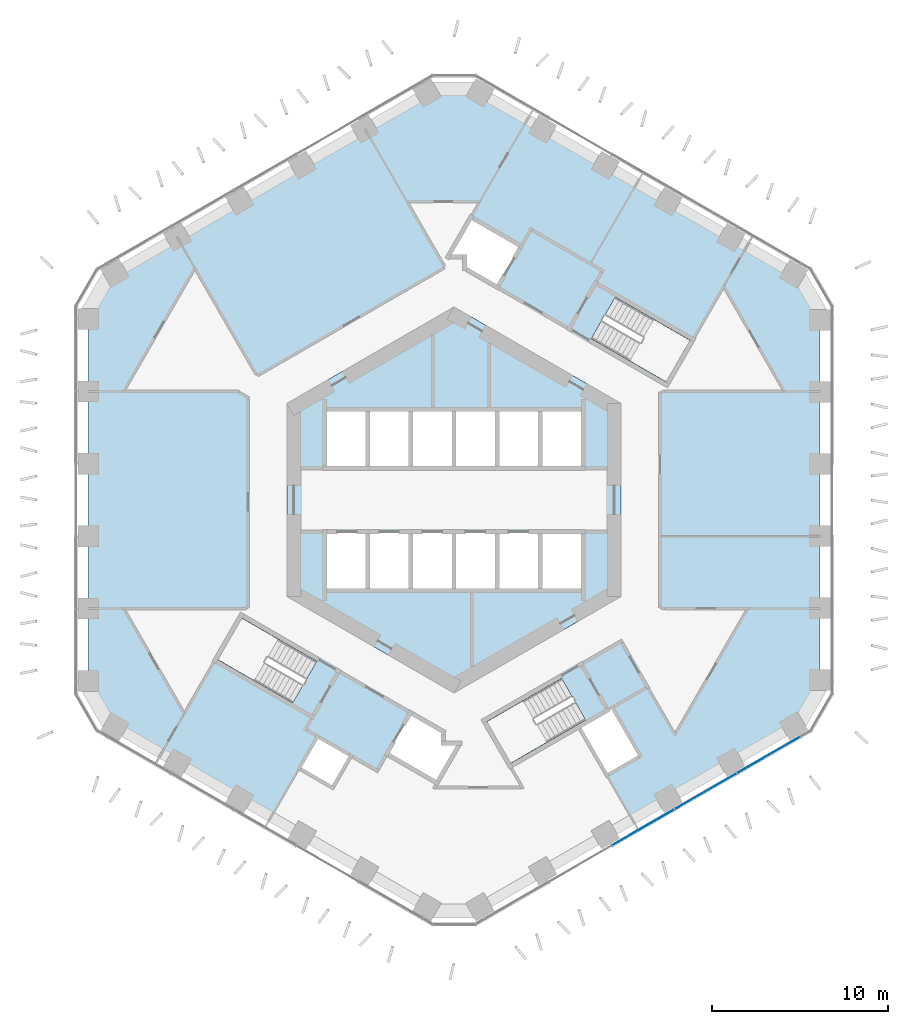
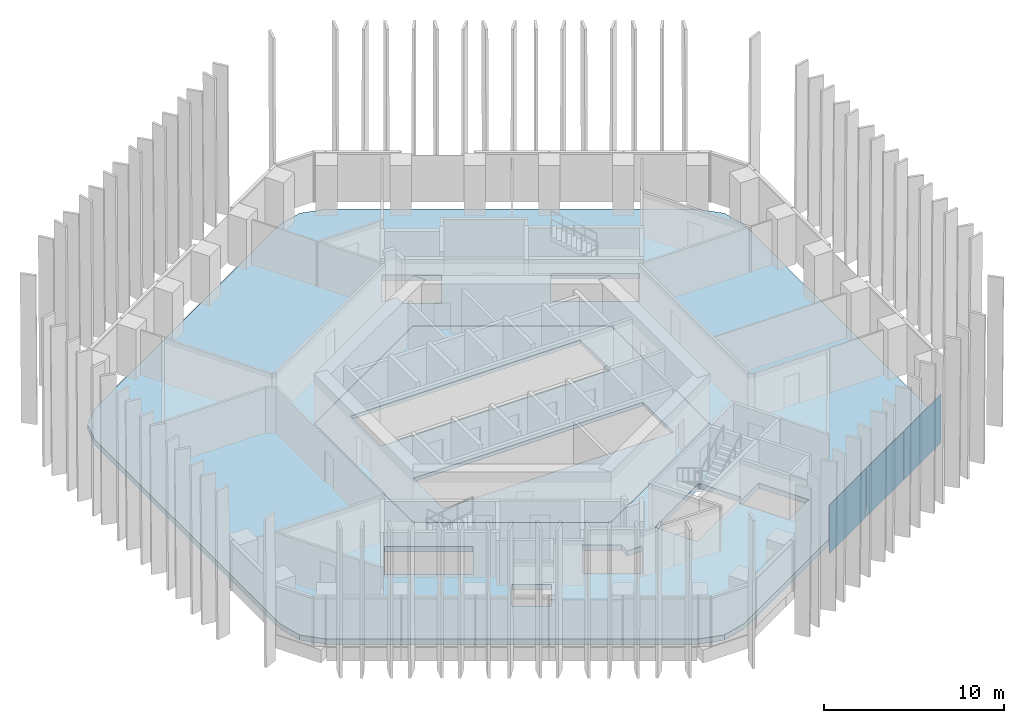
# One storey, part 9 of 18: 3 plates, 2 slabs, 1 element without a shape of its own.
"""IFC4 building model written with IfcOpenShell, lengths in metres."""

import ifcopenshell
import ifcopenshell.guid

model = None  # the IFC model being written
_history = None  # IfcOwnerHistory: only IFC2X3 demands one
_inside = {}  # id of a spatial element -> (the spatial element, [elements in it])
_under = {}  # id of a project, library or spatial element -> (it, [spatial elements below it])
_declared = {}  # id of a project -> (the project, [libraries it declares])
_typed = {}  # id of a type object -> (the type object, [elements of that type])
_made_of = {}  # id of a material, layer set ... -> (it, [elements and type objects made of it])


def new_model(schema):
    """Start an empty IFC model of exactly this schema.

    Asked for "IFC4X3", IfcOpenShell would pick the latest addendum, in which some entities
    have other attributes; the version numbers below select the first issue.
    IFC2X3 requires an IfcOwnerHistory on every rooted entity: one is made here for all.
    """
    global model, _history
    if schema == "IFC4X3":
        model = ifcopenshell.file(schema_version=(4, 3, 0, 0))
    else:
        model = ifcopenshell.file(schema=schema)
    _inside.clear()
    _under.clear()
    _declared.clear()
    _typed.clear()
    _made_of.clear()
    _history = None
    if model.schema == "IFC2X3":
        org = make("IfcOrganization", Name="unknown")
        user = make(
            "IfcPersonAndOrganization",
            ThePerson=make("IfcPerson", FamilyName="unknown"),
            TheOrganization=org,
        )
        app = make(
            "IfcApplication",
            ApplicationDeveloper=org,
            Version="unknown",
            ApplicationFullName="unknown",
            ApplicationIdentifier="unknown",
        )
        _history = make(
            "IfcOwnerHistory",
            OwningUser=user,
            OwningApplication=app,
            ChangeAction="ADDED",
            CreationDate=0,
        )
    return model


def make(cls, **values):
    """One entity of the class cls with the attributes given. An attribute that is None is left unset."""
    return model.create_entity(
        cls, **{name: value for name, value in values.items() if value is not None}
    )


def rooted(cls, **values):
    """An entity with a GlobalId (a new one), such as an element, a storey or a relation."""
    return make(cls, GlobalId=ifcopenshell.guid.new(), OwnerHistory=_history, **values)


def si_unit(unit_type, name, prefix=None):
    """IfcSIUnit, for example si_unit("LENGTHUNIT", "METRE", prefix="MILLI")."""
    return make("IfcSIUnit", UnitType=unit_type, Prefix=prefix, Name=name)


def assignment(units):
    """IfcUnitAssignment: the units of a project."""
    return None if units is None else make("IfcUnitAssignment", Units=units)


def point(xyz):
    """IfcCartesianPoint."""
    return None if xyz is None else make("IfcCartesianPoint", Coordinates=xyz)


def direction(xyz):
    """IfcDirection."""
    return None if xyz is None else make("IfcDirection", DirectionRatios=xyz)


def frame(location, z_axis=None, x_axis=None):
    """IfcAxis2Placement3D, a coordinate frame: its origin and axes. An axis left out is left unset."""
    return make(
        "IfcAxis2Placement3D",
        Location=point(location),
        Axis=direction(z_axis),
        RefDirection=direction(x_axis),
    )


def frame_2d(location, x_axis=None):
    """IfcAxis2Placement2D, a coordinate frame in the plane: its origin and x axis."""
    return make(
        "IfcAxis2Placement2D", Location=point(location), RefDirection=direction(x_axis)
    )


def origin():
    """The frame at (0, 0, 0) with its axes left unset."""
    return frame((0.0, 0.0, 0.0))


def origin_2d():
    """The frame at (0, 0) in the plane with its x axis left unset."""
    return frame_2d((0.0, 0.0))


def place(relative_to, where):
    """IfcLocalPlacement: puts the frame where relative to a parent placement (None: the world)."""
    return make(
        "IfcLocalPlacement", PlacementRelTo=relative_to, RelativePlacement=where
    )


def context(
    kind, dimensions, precision=None, world=None, true_north=None, identifier=None
):
    """IfcGeometricRepresentationContext, for example the 3D "Model" context."""
    return make(
        "IfcGeometricRepresentationContext",
        ContextIdentifier=identifier,
        ContextType=kind,
        CoordinateSpaceDimension=dimensions,
        Precision=precision,
        WorldCoordinateSystem=world,
        TrueNorth=true_north,
    )


def subcontext(parent, identifier, kind, view, scale=None):
    """IfcGeometricRepresentationSubContext, for example "Body" below "Model"."""
    return make(
        "IfcGeometricRepresentationSubContext",
        ContextIdentifier=identifier,
        ContextType=kind,
        ParentContext=parent,
        TargetScale=scale,
        TargetView=view,
    )


def project(units=None, contexts=None):
    """IfcProject with its units and contexts."""
    return rooted(
        "IfcProject",
        Name="project",
        RepresentationContexts=contexts,
        UnitsInContext=assignment(units),
    )


def spatial(cls, under=None, at=None, **own):
    """A site, building, storey or space (cls), placed at a placement, below another one or the project."""
    s = rooted(cls, ObjectPlacement=at, **own)
    if under is not None:
        _under.setdefault(under.id(), (under, []))[1].append(s)
    return s


def polyline(points):
    """IfcPolyline through the points."""
    return make("IfcPolyline", Points=[point(p) for p in points])


def profile(cls, at=None, kind="AREA", **sizes):
    """A parametric profile (cls). Its sizes go by their IFC names, for example OverallWidth=200.0."""
    return make(cls, ProfileType=kind, Position=at, **sizes)


def rectangle(**sizes):
    """IfcRectangleProfileDef."""
    return profile("IfcRectangleProfileDef", **sizes)


def outline(outer, holes=None, kind="AREA"):
    """IfcArbitraryClosedProfileDef: a profile drawn as a closed curve; with holes, ...WithVoids."""
    if holes is None:
        return make("IfcArbitraryClosedProfileDef", ProfileType=kind, OuterCurve=outer)
    return make(
        "IfcArbitraryProfileDefWithVoids",
        ProfileType=kind,
        OuterCurve=outer,
        InnerCurves=holes,
    )


def extrude(swept, where, along, depth):
    """IfcExtrudedAreaSolid: the profile swept, set in the frame where, extruded along a direction by depth."""
    return make(
        "IfcExtrudedAreaSolid",
        SweptArea=swept,
        Position=where,
        ExtrudedDirection=direction(along),
        Depth=depth,
    )


def shape(context_of_items, identifier, shape_type, items):
    """IfcShapeRepresentation: the items that make up one representation, for example the "Body"."""
    return make(
        "IfcShapeRepresentation",
        ContextOfItems=context_of_items,
        RepresentationIdentifier=identifier,
        RepresentationType=shape_type,
        Items=items,
    )


def material(Name=None, Category=None):
    """IfcMaterial."""
    return make("IfcMaterial", Name=Name, Category=Category)


def layer(
    of_material, thickness, ventilated=None, Name=None, Category=None, Priority=None
):
    """IfcMaterialLayer: one layer of a wall or slab, of a material (None: an air gap)."""
    return make(
        "IfcMaterialLayer",
        Material=of_material,
        LayerThickness=thickness,
        IsVentilated=ventilated,
        Name=Name,
        Category=Category,
        Priority=Priority,
    )


def layer_set(layers, Name=None):
    """IfcMaterialLayerSet."""
    return make("IfcMaterialLayerSet", MaterialLayers=layers, LayerSetName=Name)


def made_of(thing, what):
    """Note that an element or type object is made of a material, layer set ...; save() writes the relation."""
    if what is not None:
        _made_of.setdefault(what.id(), (what, []))[1].append(thing)
    return thing


def type_object(cls, material=None, **own):
    """A type object (cls), such as IfcWallType, which elements share."""
    return made_of(rooted(cls, **own), material)


def element(
    cls,
    number,
    at=None,
    inside=None,
    cuts=None,
    type_object=None,
    material=None,
    context=None,
    identifier="Body",
    shape_type=None,
    held_by="IfcProductDefinitionShape",
    body=None,
    shapes=None,
    **own,
):
    """One element of the class cls, such as IfcWall. Its Tag is "e" and its number.

    at: its placement. inside: the storey or other place that contains it. cuts: it is an
    opening in that element (IfcRelVoidsElement). A single representation is given by context,
    identifier, shape_type and body (its items); several are given by shapes. held_by: the class
    of the entity that holds the representations. save() writes the other relations.
    """
    e = rooted(cls, Tag="e%d" % number, ObjectPlacement=at, **own)
    if body is not None:
        shapes = [shape(context, identifier, shape_type, body)]
    if shapes is not None:
        e.Representation = make(held_by, Representations=shapes)
    if inside is not None:
        _inside.setdefault(inside.id(), (inside, []))[1].append(e)
    if cuts is not None:
        rooted(
            "IfcRelVoidsElement", RelatingBuildingElement=cuts, RelatedOpeningElement=e
        )
    if type_object is not None:
        _typed.setdefault(type_object.id(), (type_object, []))[1].append(e)
    return made_of(e, material)


def aggregate(whole, parts):
    """IfcRelAggregates: a whole, such as a stair, and the parts it consists of."""
    return rooted("IfcRelAggregates", RelatingObject=whole, RelatedObjects=parts)


def save(model, path):
    """Write the relations noted so far, then the file.

    IfcRelAggregates (storeys below a building ...), IfcRelContainedInSpatialStructure (elements
    in a storey), IfcRelDefinesByType, IfcRelAssociatesMaterial and IfcRelDeclares: one each for
    every whole, place, type object, material and project.
    """
    for whole, parts in _under.values():
        aggregate(whole, parts)
    for where, things in _inside.values():
        rooted(
            "IfcRelContainedInSpatialStructure",
            RelatedElements=things,
            RelatingStructure=where,
        )
    for kind, things in _typed.values():
        rooted("IfcRelDefinesByType", RelatedObjects=things, RelatingType=kind)
    for what, things in _made_of.values():
        rooted("IfcRelAssociatesMaterial", RelatedObjects=things, RelatingMaterial=what)
    for by, libraries in _declared.values():
        rooted("IfcRelDeclares", RelatingContext=by, RelatedDefinitions=libraries)
    model.write(path)


model = new_model("IFC4")

# Units and contexts
model_context = context("Model", 3, precision=1e-05, world=origin(), true_north=direction((0.0, 1.0)))
body_context = subcontext(model_context, "Body", "Model", "MODEL_VIEW")
ifc_project = project(units=[si_unit("LENGTHUNIT", "METRE"), si_unit("AREAUNIT", "SQUARE_METRE"), si_unit("VOLUMEUNIT", "CUBIC_METRE"), si_unit("PLANEANGLEUNIT", "RADIAN"), si_unit("MASSUNIT", "GRAM", prefix="KILO")], contexts=[model_context])

# Site, building, storey
site_placement = place(None, origin())
site = spatial("IfcSite", under=ifc_project, at=site_placement, CompositionType="ELEMENT")
building_placement = place(site_placement, origin())
building = spatial("IfcBuilding", under=site, at=building_placement, Name="Ayvan Gate Tower", CompositionType="ELEMENT")
storey_placement = place(building_placement, frame((0.0, 0.0, 25.5)))
storey = spatial("IfcBuildingStorey", under=building, at=storey_placement, Name="L05", CompositionType="ELEMENT", Elevation=25.5)

# Slabs
ifc_material_1 = material(Name="Concrete C40/50", Category="concrete")
ifc_layer_1 = layer(ifc_material_1, 0.35009765625)
ifc_layer_set_1 = layer_set([ifc_layer_1], Name="Concrete C40/50")
slab_type_1 = type_object("IfcSlabType", Name="Post-tensioned flat slab 350", PredefinedType="FLOOR", material=ifc_layer_set_1)
slab_1_placement = place(storey_placement, frame((0.0, 0.0, -0.35009765625)))
element("IfcSlab", 1, at=slab_1_placement, inside=storey, type_object=slab_type_1, Name="SL-L05", PredefinedType="FLOOR", context=body_context, shape_type="SweptSolid", body=[
    extrude(outline(polyline([(-1.5, -23.134033203125), (-19.28466796875, -12.865966796875), (-20.382568359375, -11.76806640625), (-20.78466796875, -10.26806640625), (-20.78466796875, 10.26806640625), (-20.382568359375, 11.76806640625), (-19.28466796875, 12.865966796875), (-1.5, 23.134033203125), (0.0, 23.535888671875), (1.5, 23.134033203125), (19.28466796875, 12.865966796875), (20.382568359375, 11.76806640625), (20.78466796875, 10.26806640625), (20.78466796875, -10.26806640625), (20.382568359375, -11.76806640625), (19.28466796875, -12.865966796875), (1.5, -23.134033203125), (0.0, -23.535888671875), (-1.5, -23.134033203125)]), holes=[polyline([(9.1611328125, 11.517578125), (7.80615234375, 9.170654296875), (12.049560546875, 6.720458984375), (13.404541015625, 9.0673828125), (9.1611328125, 11.517578125)]), polyline([(8.995361328125, -11.780517578125), (8.735595703125, -11.9306640625), (7.090087890625, -12.880615234375), (8.690185546875, -15.65185546875), (10.595458984375, -14.5517578125), (8.995361328125, -11.780517578125)]), polyline([(-9.5, 5.48486328125), (-9.5, -5.48486328125), (0.0, -10.9697265625), (9.5, -5.48486328125), (9.5, 5.48486328125), (0.0, 10.9697265625), (-9.5, 5.48486328125)]), polyline([(7.472412109375, -12.492431640625), (6.117431640625, -10.1455078125), (1.873779296875, -12.595458984375), (3.228759765625, -14.9423828125), (7.472412109375, -12.492431640625)]), polyline([(3.822509765625, 14.420654296875), (0.964599609375, 16.07080078125), (-0.340576171875, 13.81005859375), (0.60009765625, 13.81005859375), (0.60009765625, 13.16357421875), (2.472412109375, 12.08251953125), (3.822509765625, 14.420654296875)]), polyline([(-0.60009765625, -13.81005859375), (-0.60009765625, -13.16357421875), (-2.472412109375, -12.08251953125), (-3.822509765625, -14.420654296875), (-0.964599609375, -16.07080078125), (0.340576171875, -13.81005859375), (-0.60009765625, -13.81005859375)]), polyline([(-8.800048828125, -15.241943359375), (-6.894775390625, -16.342041015625), (-5.8447265625, -14.5234375), (-7.75, -13.42333984375), (-8.800048828125, -15.241943359375)]), polyline([(-12.049560546875, -6.720458984375), (-13.404541015625, -9.0673828125), (-9.1611328125, -11.517578125), (-7.80615234375, -9.170654296875), (-12.049560546875, -6.720458984375)])]), origin(), (0.0, 0.0, 1.0), 0.35009765625),
])
ifc_layer_2 = layer(ifc_material_1, 0.25)
ifc_layer_set_2 = layer_set([ifc_layer_2], Name="Concrete C40/50")
slab_type_2 = type_object("IfcSlabType", Name="SL-CORE-250", PredefinedType="FLOOR", material=ifc_layer_set_2)
slab_2_placement = place(storey_placement, frame((0.0, 0.0, -0.25)))
element("IfcSlab", 2, at=slab_2_placement, inside=storey, type_object=slab_type_2, Name="CS-L05", PredefinedType="FLOOR", context=body_context, shape_type="SweptSolid", body=[
    extrude(outline(polyline([(9.5, -5.48486328125), (0.0, -10.9697265625), (-9.5, -5.48486328125), (-9.5, 5.48486328125), (0.0, 10.9697265625), (9.5, 5.48486328125), (9.5, -5.48486328125)]), holes=[polyline([(-7.35009765625, -1.800048828125), (-7.35009765625, -5.14990234375), (7.35009765625, -5.14990234375), (7.35009765625, -1.800048828125), (-7.35009765625, -1.800048828125)]), polyline([(-7.35009765625, 5.14990234375), (-7.35009765625, 1.800048828125), (7.35009765625, 1.800048828125), (7.35009765625, 5.14990234375), (-7.35009765625, 5.14990234375)])]), origin(), (0.0, 0.0, 1.0), 0.25),
])

# Curtain wall, plates
ifc_material_2 = material(Name="Bronze anodised aluminium", Category="aluminium")
ifc_layer_3 = layer(ifc_material_2, 0.199951171875)
ifc_layer_set_3 = layer_set([ifc_layer_3], Name="Bronze anodised aluminium")
curtain_wall_type = type_object("IfcCurtainWallType", Name="Stick curtain wall CW-1", PredefinedType="NOTDEFINED", material=ifc_layer_set_3)
curtain_wall_placement = place(storey_placement, origin())
curtain_wall = element("IfcCurtainWall", 3, at=curtain_wall_placement, inside=storey, type_object=curtain_wall_type, Name="Stick curtain wall CW-1 L05", PredefinedType="NOTDEFINED")
ifc_material_3 = material(Name="Clear low-iron laminated glass", Category="glass")
ifc_layer_4 = layer(ifc_material_3, 0.028076171875)
ifc_layer_set_4 = layer_set([ifc_layer_4], Name="Clear low-iron laminated glass")
plate_type = type_object("IfcPlateType", Name="Stick curtain wall CW-1 glass panel", PredefinedType="CURTAIN_PANEL", material=ifc_layer_set_4)
plate_1_placement = place(storey_placement, frame((10.7421875, -18.606201171875, 0.0), z_axis=(0.0, 0.0, 1.0), x_axis=(0.866025403784, 0.5, 0.0)))
plate_1 = element("IfcPlate", 4, at=plate_1_placement, type_object=plate_type, Name="CW-1 glass panel 3", PredefinedType="CURTAIN_PANEL", context=body_context, shape_type="SweptSolid", body=[
    extrude(rectangle(XDim=4.053955078125, YDim=0.028076171875, at=origin_2d()), origin(), (0.0, 0.0, 1.0), 3.280029296875),
])
plate_2_placement = place(storey_placement, frame((14.304931640625, -16.54931640625, 0.0), z_axis=(0.0, 0.0, 1.0), x_axis=(0.866025403784, 0.5, 0.0)))
plate_2 = element("IfcPlate", 5, at=plate_2_placement, type_object=plate_type, Name="CW-1 glass panel 4", PredefinedType="CURTAIN_PANEL", context=body_context, shape_type="SweptSolid", body=[
    extrude(rectangle(XDim=4.053955078125, YDim=0.028076171875, at=origin_2d()), origin(), (0.0, 0.0, 1.0), 3.280029296875),
])
plate_3_placement = place(storey_placement, frame((17.900390625, -14.473388671875, 0.0), z_axis=(0.0, 0.0, 1.0), x_axis=(0.866025403784, 0.5, 0.0)))
plate_3 = element("IfcPlate", 6, at=plate_3_placement, type_object=plate_type, Name="CW-1 glass panel 5", PredefinedType="CURTAIN_PANEL", context=body_context, shape_type="SweptSolid", body=[
    extrude(rectangle(XDim=4.129150390625, YDim=0.028076171875, at=origin_2d()), origin(), (0.0, 0.0, 1.0), 3.280029296875),
])
aggregate(curtain_wall, [plate_1, plate_2, plate_3])

save(model, "model.ifc")
